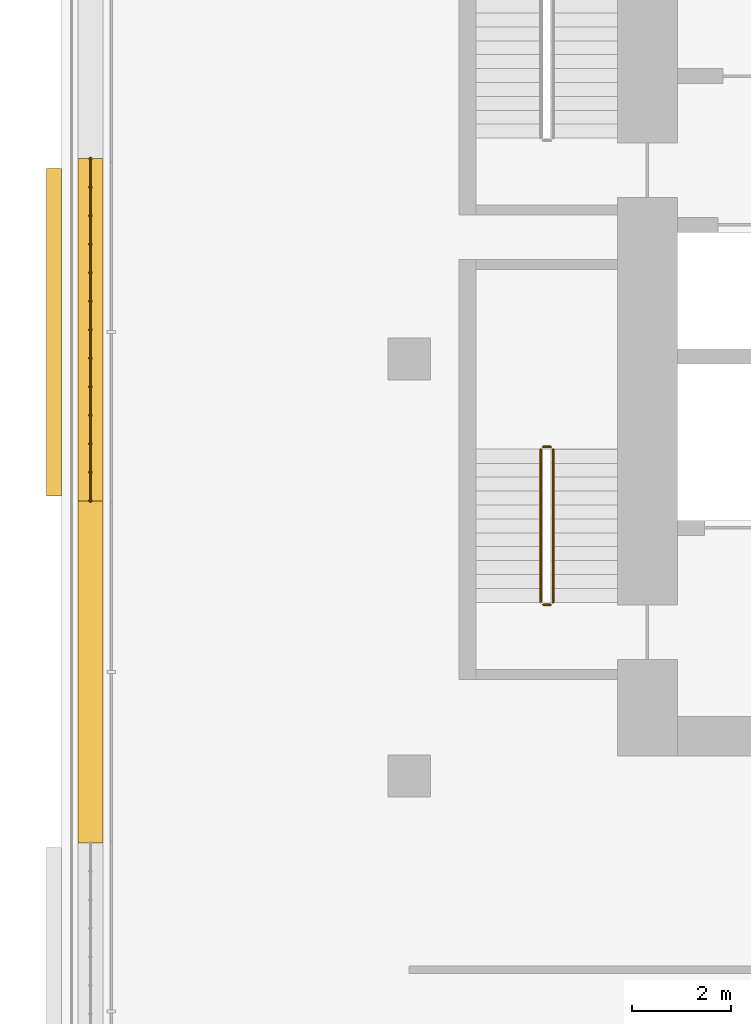
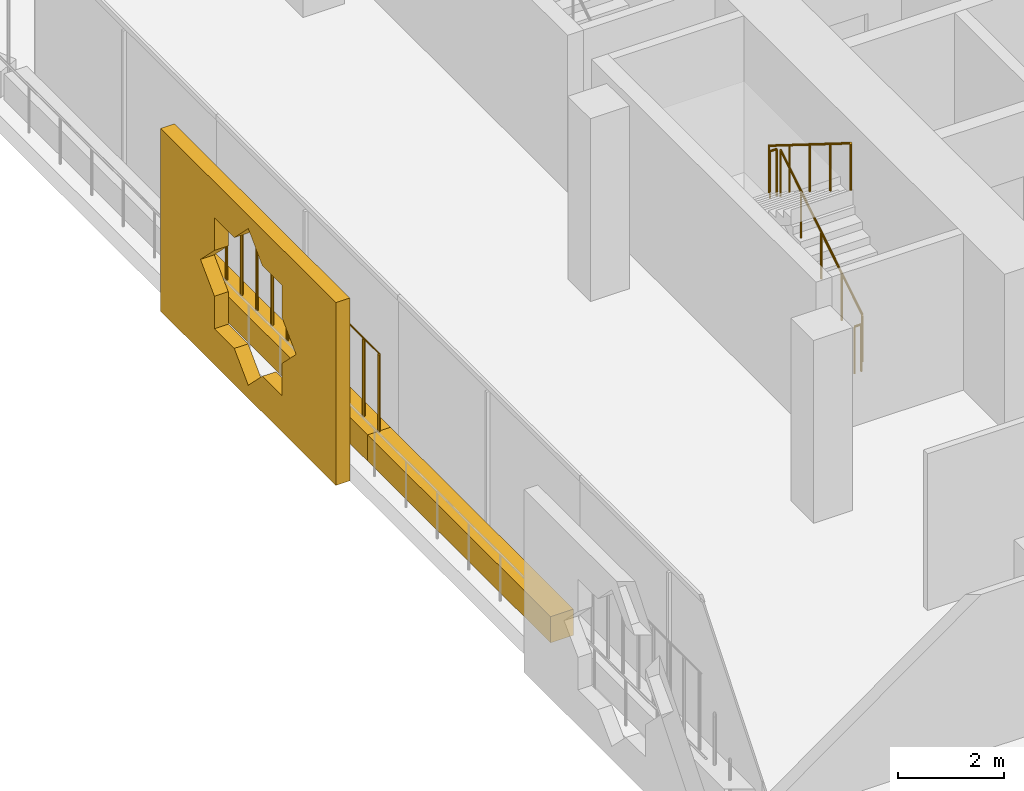
# One storey, part 15 of 21: 5 railings, 3 coverings.
"""IFC4 building model written with IfcOpenShell, lengths in metres."""

from ifc_helpers import new_model, si_unit, direction, frame, origin, origin_2d, place, context, subcontext, project, spatial, polyline, rectangle, circle, outline, extrude, material, material_profile, profile_set, type_object, element, save


model = new_model("IFC4")

# Units and contexts
model_context = context("Model", 3, precision=1e-05, world=origin(), true_north=direction((0.0, 1.0)))
body_context = subcontext(model_context, "Body", "Model", "MODEL_VIEW")
ifc_project = project(units=[si_unit("LENGTHUNIT", "METRE"), si_unit("AREAUNIT", "SQUARE_METRE"), si_unit("VOLUMEUNIT", "CUBIC_METRE"), si_unit("PLANEANGLEUNIT", "RADIAN"), si_unit("MASSUNIT", "GRAM", prefix="KILO")], contexts=[model_context])

# Site, building, storey
site_placement = place(None, origin())
site = spatial("IfcSite", under=ifc_project, at=site_placement, CompositionType="ELEMENT")
building_placement = place(site_placement, origin())
building = spatial("IfcBuilding", under=site, at=building_placement, Name="Kawkab Arch Medical Tower", CompositionType="ELEMENT")
storey_placement = place(building_placement, frame((0.0, 0.0, 243.199951171875)))
storey = spatial("IfcBuildingStorey", under=building, at=storey_placement, Name="L56", CompositionType="ELEMENT", Elevation=243.199951171875)

# Coverings
ifc_material_1 = material(Name="Bronze anodised aluminium mashrabiya panel, eight-point star pattern", Category="aluminium")
ifc_material_profile_1 = material_profile(ifc_material_1, outline(polyline([(-3.300048828125, -2.10009765625), (3.300048828125, -2.10009765625), (3.300048828125, 2.10009765625), (-3.300048828125, 2.10009765625), (-3.300048828125, -2.10009765625)]), holes=[polyline([(1.800048828125, 0.0), (1.272705078125, 0.527099609375), (1.272705078125, 1.272705078125), (0.527099609375, 1.272705078125), (0.0, 1.800048828125), (-0.527099609375, 1.272705078125), (-1.272705078125, 1.272705078125), (-1.272705078125, 0.527099609375), (-1.800048828125, 0.0), (-1.272705078125, -0.527099609375), (-1.272705078125, -1.272705078125), (-0.527099609375, -1.272705078125), (0.0, -1.800048828125), (0.527099609375, -1.272705078125), (1.272705078125, -1.272705078125), (1.272705078125, -0.527099609375), (1.800048828125, 0.0)])]), Name="Mashrabiya panel 6600x4200")
ifc_profile_set_1 = profile_set([ifc_material_profile_1], Name="Bronze anodised aluminium mashrabiya panel, eight-point star pattern")
covering_type_1 = type_object("IfcCoveringType", Name="Mashrabiya panel 6600 x 4200", PredefinedType="USERDEFINED", material=ifc_profile_set_1)
covering_1_placement = place(storey_placement, frame((-7.0, -16.259033203125, 1.699951171875), z_axis=(-1.0, 0.0, 0.0), x_axis=(0.0, -1.0, 0.0)))
element("IfcCovering", 1, at=covering_1_placement, inside=storey, type_object=covering_type_1, Name="Mashrabiya panel L56.LOG-01-01.4", ObjectType="SCREEN", PredefinedType="USERDEFINED", context=body_context, shape_type="SweptSolid", body=[
    extrude(outline(polyline([(-3.300048828125, -2.10009765625), (3.300048828125, -2.10009765625), (3.300048828125, 2.10009765625), (-3.300048828125, 2.10009765625), (-3.300048828125, -2.10009765625)]), holes=[polyline([(1.800048828125, 0.0), (1.272705078125, 0.527099609375), (1.272705078125, 1.272705078125), (0.527099609375, 1.272705078125), (0.0, 1.800048828125), (-0.527099609375, 1.272705078125), (-1.272705078125, 1.272705078125), (-1.272705078125, 0.527099609375), (-1.800048828125, 0.0), (-1.272705078125, -0.527099609375), (-1.272705078125, -1.272705078125), (-0.527099609375, -1.272705078125), (0.0, -1.800048828125), (0.527099609375, -1.272705078125), (1.272705078125, -1.272705078125), (1.272705078125, -0.527099609375), (1.800048828125, 0.0)])]), origin(), (0.0, 0.0, 1.0), 0.300048828125),
])
ifc_material_2 = material(Name="Planting soil in a precast trough", Category="concrete")
ifc_material_profile_2 = material_profile(ifc_material_2, rectangle(XDim=0.5, YDim=0.60009765625, at=origin_2d()), Name="Trough 500x600")
ifc_profile_set_2 = profile_set([ifc_material_profile_2], Name="Planting soil in a precast trough")
covering_type_2 = type_object("IfcCoveringType", Name="Planter trough 500 x 600", PredefinedType="USERDEFINED", material=ifc_profile_set_2)
covering_2_placement = place(storey_placement, frame((-6.419921875, -26.544921875, 0.300048828125), z_axis=(0.0, 1.0, 0.0), x_axis=(-1.0, 0.0, 0.0)))
element("IfcCovering", 2, at=covering_2_placement, inside=storey, type_object=covering_type_2, Name="Planter L56.LOG-01-01.10", ObjectType="PLANTER", PredefinedType="USERDEFINED", context=body_context, shape_type="SweptSolid", body=[
    extrude(rectangle(XDim=0.5, YDim=0.60009765625, at=origin_2d()), origin(), (0.0, 0.0, 1.0), 6.889892578125),
])
covering_3_placement = place(storey_placement, frame((-6.419921875, -19.655029296875, 0.300048828125), z_axis=(0.0, 1.0, 0.0), x_axis=(-1.0, 0.0, 0.0)))
element("IfcCovering", 3, at=covering_3_placement, inside=storey, type_object=covering_type_2, Name="Planter L56.LOG-01-01.11", ObjectType="PLANTER", PredefinedType="USERDEFINED", context=body_context, shape_type="SweptSolid", body=[
    extrude(rectangle(XDim=0.5, YDim=0.60009765625, at=origin_2d()), origin(), (0.0, 0.0, 1.0), 6.89111328125),
])

# Railings
ifc_material_3 = material(Name="Bronze anodised aluminium trellis for climbing plants", Category="aluminium")
railing_type_1 = type_object("IfcRailingType", Name="Planting trellis 2400", PredefinedType="USERDEFINED", material=ifc_material_3)
railing_1_placement = place(storey_placement, frame((-6.419921875, -19.655029296875, 0.0)))
element("IfcRailing", 4, at=railing_1_placement, inside=storey, type_object=railing_type_1, Name="Planting trellis L56.LOG-01-01.11", ObjectType="TRELLIS", PredefinedType="USERDEFINED", context=body_context, shape_type="SweptSolid", body=[
    extrude(circle(Radius=0.01513671875, at=origin_2d()), frame((0.0, 0.0, 2.384765625), z_axis=(0.0, 1.0, 0.0), x_axis=(-1.0, 0.0, 0.0)), (0.0, 0.0, 1.0), 6.89111328125),
    extrude(circle(Radius=0.030029296875, at=origin_2d()), origin(), (0.0, 0.0, 1.0), 2.369873046875),
    extrude(circle(Radius=0.030029296875, at=origin_2d()), frame((0.0, 0.57421875, 0.0)), (0.0, 0.0, 1.0), 2.369873046875),
    extrude(circle(Radius=0.030029296875, at=origin_2d()), frame((0.0, 1.1484375, 0.0)), (0.0, 0.0, 1.0), 2.369873046875),
    extrude(circle(Radius=0.030029296875, at=origin_2d()), frame((0.0, 1.72265625, 0.0)), (0.0, 0.0, 1.0), 2.369873046875),
    extrude(circle(Radius=0.030029296875, at=origin_2d()), frame((0.0, 2.297119140625, 0.0)), (0.0, 0.0, 1.0), 2.369873046875),
    extrude(circle(Radius=0.030029296875, at=origin_2d()), frame((0.0, 2.871337890625, 0.0)), (0.0, 0.0, 1.0), 2.369873046875),
    extrude(circle(Radius=0.030029296875, at=origin_2d()), frame((0.0, 3.445556640625, 0.0)), (0.0, 0.0, 1.0), 2.369873046875),
    extrude(circle(Radius=0.030029296875, at=origin_2d()), frame((0.0, 4.019775390625, 0.0)), (0.0, 0.0, 1.0), 2.369873046875),
    extrude(circle(Radius=0.030029296875, at=origin_2d()), frame((0.0, 4.593994140625, 0.0)), (0.0, 0.0, 1.0), 2.369873046875),
    extrude(circle(Radius=0.030029296875, at=origin_2d()), frame((0.0, 5.16845703125, 0.0)), (0.0, 0.0, 1.0), 2.369873046875),
    extrude(circle(Radius=0.030029296875, at=origin_2d()), frame((0.0, 5.74267578125, 0.0)), (0.0, 0.0, 1.0), 2.369873046875),
    extrude(circle(Radius=0.030029296875, at=origin_2d()), frame((0.0, 6.31689453125, 0.0)), (0.0, 0.0, 1.0), 2.369873046875),
    extrude(circle(Radius=0.030029296875, at=origin_2d()), frame((0.0, 6.89111328125, 0.0)), (0.0, 0.0, 1.0), 2.369873046875),
])
ifc_material_4 = material(Name="Stainless steel", Category="steel")
railing_type_2 = type_object("IfcRailingType", Name="Stair guard 1100", PredefinedType="GUARDRAIL", material=ifc_material_4)
railing_2_placement = place(storey_placement, frame((2.89990234375, -21.699951171875, 0.175048828125)))
element("IfcRailing", 5, at=railing_2_placement, inside=storey, type_object=railing_type_2, Name="L56 ST2 stair guard 1", PredefinedType="GUARDRAIL", context=body_context, shape_type="SweptSolid", body=[
    extrude(circle(Radius=0.02392578125, at=origin_2d()), frame((0.0, 0.0, 1.076171875), z_axis=(0.0, 0.847979421464, 0.530029150871), x_axis=(-1.0, 0.0, 0.0)), (0.0, 0.0, 1.0), 3.632080078125),
    extrude(circle(Radius=0.02099609375, at=origin_2d()), origin(), (0.0, 0.0, 1.0), 1.052001953125),
    extrude(circle(Radius=0.02099609375, at=origin_2d()), frame((0.0, 0.77001953125, 0.481201171875)), (0.0, 0.0, 1.0), 1.052001953125),
    extrude(circle(Radius=0.02099609375, at=origin_2d()), frame((0.0, 1.5400390625, 0.96240234375)), (0.0, 0.0, 1.0), 1.052001953125),
    extrude(circle(Radius=0.02099609375, at=origin_2d()), frame((0.0, 2.309814453125, 1.44384765625)), (0.0, 0.0, 1.0), 1.052001953125),
    extrude(circle(Radius=0.02099609375, at=origin_2d()), frame((0.0, 3.079833984375, 1.925048828125)), (0.0, 0.0, 1.0), 1.052001953125),
])
railing_3_placement = place(storey_placement, frame((2.85009765625, -18.570068359375, 2.10009765625)))
element("IfcRailing", 6, at=railing_3_placement, inside=storey, type_object=railing_type_2, Name="L56 ST2 stair guard 2", PredefinedType="GUARDRAIL", context=body_context, shape_type="SweptSolid", body=[
    extrude(circle(Radius=0.02392578125, at=origin_2d()), frame((0.0, 0.0, 1.076171875), z_axis=(-1.0, 0.0, 0.0), x_axis=(0.0, -1.0, 0.0)), (0.0, 0.0, 1.0), 0.150146484375),
    extrude(circle(Radius=0.02099609375, at=origin_2d()), origin(), (0.0, 0.0, 1.0), 1.052001953125),
    extrude(circle(Radius=0.02099609375, at=origin_2d()), frame((-0.150146484375, 0.0, 0.0)), (0.0, 0.0, 1.0), 1.052001953125),
])
railing_4_placement = place(storey_placement, frame((2.64990234375, -18.6201171875, 2.275146484375)))
element("IfcRailing", 7, at=railing_4_placement, inside=storey, type_object=railing_type_2, Name="L56 ST2 stair guard 3", PredefinedType="GUARDRAIL", context=body_context, shape_type="SweptSolid", body=[
    extrude(circle(Radius=0.02392578125, at=origin_2d()), frame((0.0, 0.0, 1.076171875), z_axis=(0.0, -0.848009633417, 0.529980812513), x_axis=(1.0, 0.0, 0.0)), (0.0, 0.0, 1.0), 3.6318359375),
    extrude(circle(Radius=0.02099609375, at=origin_2d()), origin(), (0.0, 0.0, 1.0), 1.052001953125),
    extrude(circle(Radius=0.02099609375, at=origin_2d()), frame((0.0, -0.77001953125, 0.481201171875)), (0.0, 0.0, 1.0), 1.052001953125),
    extrude(circle(Radius=0.02099609375, at=origin_2d()), frame((0.0, -1.5400390625, 0.96240234375)), (0.0, 0.0, 1.0), 1.052001953125),
    extrude(circle(Radius=0.02099609375, at=origin_2d()), frame((0.0, -2.309814453125, 1.443603515625)), (0.0, 0.0, 1.0), 1.052001953125),
    extrude(circle(Radius=0.02099609375, at=origin_2d()), frame((0.0, -3.079833984375, 1.9248046875)), (0.0, 0.0, 1.0), 1.052001953125),
])
railing_5_placement = place(storey_placement, frame((2.85009765625, -21.75, 0.0)))
element("IfcRailing", 8, at=railing_5_placement, inside=storey, type_object=railing_type_2, Name="L56 ST2 stair guard 4", PredefinedType="GUARDRAIL", context=body_context, shape_type="SweptSolid", body=[
    extrude(circle(Radius=0.02392578125, at=origin_2d()), frame((0.0, 0.0, 1.076171875), z_axis=(-1.0, 0.0, 0.0), x_axis=(0.0, -1.0, 0.0)), (0.0, 0.0, 1.0), 0.150146484375),
    extrude(circle(Radius=0.02099609375, at=origin_2d()), origin(), (0.0, 0.0, 1.0), 1.052001953125),
    extrude(circle(Radius=0.02099609375, at=origin_2d()), frame((-0.150146484375, 0.0, 0.0)), (0.0, 0.0, 1.0), 1.052001953125),
])

save(model, "model.ifc")
